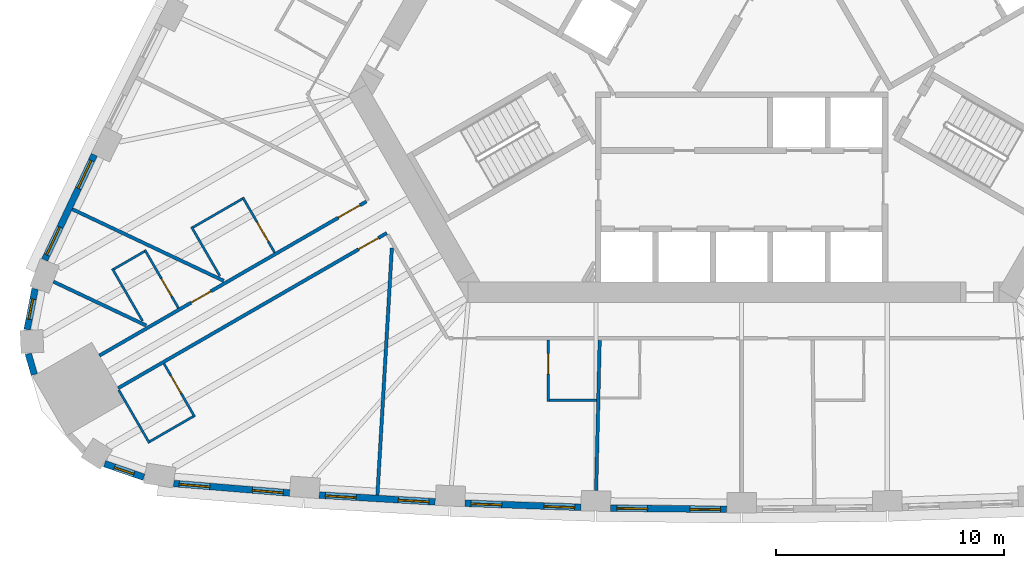
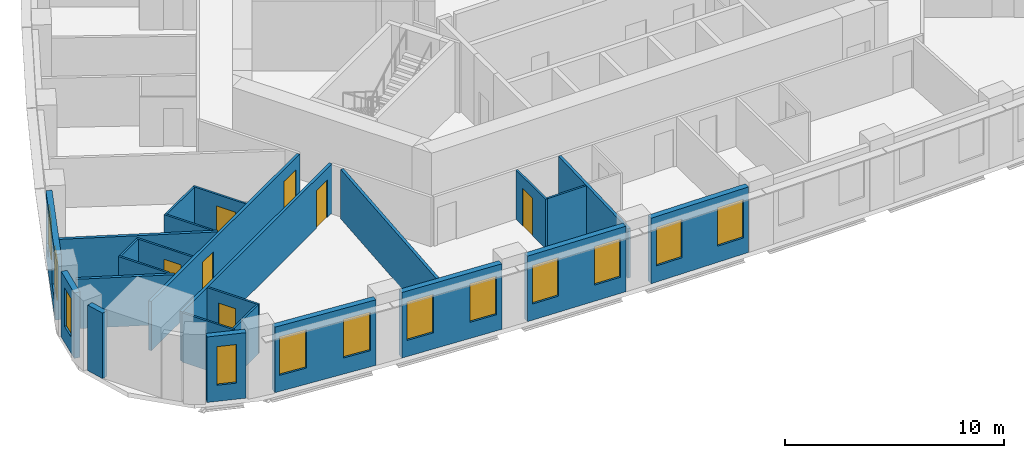
# One storey, part 3 of 12: 25 walls, 12 windows, 7 doors, 19 openings.
"""IFC4 building model written with IfcOpenShell, lengths in metres."""

from ifc_helpers import new_model, si_unit, direction, frame, frame_2d, origin, place, context, subcontext, project, spatial, rectangle, extrude, material, layer, layer_set, type_object, element, fill, save


model = new_model("IFC4")

# Units and contexts
model_context = context("Model", 3, precision=1e-05, world=origin(), true_north=direction((0.0, 1.0)))
body_context = subcontext(model_context, "Body", "Model", "MODEL_VIEW")
ifc_project = project(units=[si_unit("LENGTHUNIT", "METRE"), si_unit("AREAUNIT", "SQUARE_METRE"), si_unit("VOLUMEUNIT", "CUBIC_METRE"), si_unit("PLANEANGLEUNIT", "RADIAN"), si_unit("MASSUNIT", "GRAM", prefix="KILO")], contexts=[model_context])

# Site, building, storey
site_placement = place(None, origin())
site = spatial("IfcSite", under=ifc_project, at=site_placement, CompositionType="ELEMENT")
building_placement = place(site_placement, origin())
building = spatial("IfcBuilding", under=site, at=building_placement, Name="Mestral Congress Tower", CompositionType="ELEMENT")
storey_placement = place(building_placement, frame((0.0, 0.0, 107.10009765625)))
storey = spatial("IfcBuildingStorey", under=building, at=storey_placement, Name="L25", CompositionType="ELEMENT", Elevation=107.10009765625)

# Wall, openings, windows
ifc_material_1 = material(Name="Precast concrete C40/50 with limestone facing", Category="masonry")
ifc_layer_1 = layer(ifc_material_1, 0.2900390625)
ifc_layer_set_1 = layer_set([ifc_layer_1], Name="Precast concrete C40/50 with limestone facing")
wall_type_1 = type_object("IfcWallType", Name="Facade stone wall 290", PredefinedType="SOLIDWALL", material=ifc_layer_set_1)
wall_1_placement = place(storey_placement, frame((-24.9462890625, -20.95361328125, 0.0), z_axis=(0.0, 0.0, 1.0), x_axis=(0.99665273362, -0.081751627308, 0.0)))
wall_1 = element("IfcWall", 1, at=wall_1_placement, inside=storey, type_object=wall_type_1, Name="Facade wall F0-00", PredefinedType="SOLIDWALL", context=body_context, shape_type="SweptSolid", body=[
    extrude(rectangle(XDim=5.106689453125, YDim=0.2900390625, at=frame_2d((2.55322265625, 0.0))), origin(), (0.0, 0.0, 1.0), 3.64990234375),
])
opening_1_placement = place(wall_1_placement, frame((0.240478515625, 0.0, 0.89990234375)))
opening_1 = element("IfcOpeningElement", 2, at=opening_1_placement, cuts=wall_1, Name="Opening W2", PredefinedType="OPENING", context=body_context, shape_type="SweptSolid", body=[
    extrude(rectangle(XDim=1.35009765625, YDim=2.14990234375, at=frame_2d((0.675048828125, 1.074951171875))), frame((0.0, 0.155029296875, 0.0), z_axis=(0.0, -1.0, 0.0), x_axis=(1.0, 0.0, 0.0)), (0.0, 0.0, 1.0), 0.31005859375),
])
opening_2_placement = place(wall_1_placement, frame((3.47119140625, 0.0, 0.89990234375)))
opening_2 = element("IfcOpeningElement", 3, at=opening_2_placement, cuts=wall_1, Name="Opening W2", PredefinedType="OPENING", context=body_context, shape_type="SweptSolid", body=[
    extrude(rectangle(XDim=1.35009765625, YDim=2.14990234375, at=frame_2d((0.675048828125, 1.074951171875))), frame((0.0, 0.155029296875, 0.0), z_axis=(0.0, -1.0, 0.0), x_axis=(1.0, 0.0, 0.0)), (0.0, 0.0, 1.0), 0.31005859375),
])
ifc_material_2 = material(Name="Clear low-emissivity double glazing", Category="glass")
window_type_1 = type_object("IfcWindowType", Name="Facade punched window 1350 x 2150 sill 900", PartitioningType="DOUBLE_PANEL_VERTICAL", PredefinedType="WINDOW", material=ifc_material_2)
window_1_placement = place(opening_1_placement, origin())
window_1 = element("IfcWindow", 4, at=window_1_placement, inside=storey, type_object=window_type_1, Name="Window F0-00a", OverallHeight=2.14990234375, OverallWidth=1.35009765625, PartitioningType="DOUBLE_PANEL_VERTICAL", PredefinedType="WINDOW", context=body_context, shape_type="SweptSolid", body=[
    extrude(rectangle(XDim=1.35009765625, YDim=2.14990234375, at=frame_2d((0.675048828125, 1.074951171875))), frame((0.0, 0.01513671875, 0.0), z_axis=(0.0, -1.0, 0.0), x_axis=(1.0, 0.0, 0.0)), (0.0, 0.0, 1.0), 0.06005859375),
])
fill(opening_1, window_1)
window_2_placement = place(opening_2_placement, origin())
window_2 = element("IfcWindow", 5, at=window_2_placement, inside=storey, type_object=window_type_1, Name="Window F0-00b", OverallHeight=2.14990234375, OverallWidth=1.35009765625, PartitioningType="DOUBLE_PANEL_VERTICAL", PredefinedType="WINDOW", context=body_context, shape_type="SweptSolid", body=[
    extrude(rectangle(XDim=1.35009765625, YDim=2.14990234375, at=frame_2d((0.675048828125, 1.074951171875))), frame((0.0, 0.01513671875, 0.0), z_axis=(0.0, -1.0, 0.0), x_axis=(1.0, 0.0, 0.0)), (0.0, 0.0, 1.0), 0.06005859375),
])
fill(opening_2, window_2)

wall_2_placement = place(storey_placement, frame((-18.553466796875, -21.462890625, 0.0), z_axis=(0.0, 0.0, 1.0), x_axis=(0.998290511436, -0.058447025388, 0.0)))
wall_2 = element("IfcWall", 6, at=wall_2_placement, inside=storey, type_object=wall_type_1, Name="Facade wall F0-01", PredefinedType="SOLIDWALL", context=body_context, shape_type="SweptSolid", body=[
    extrude(rectangle(XDim=5.100341796875, YDim=0.2900390625, at=frame_2d((2.55029296875, 0.0))), origin(), (0.0, 0.0, 1.0), 3.64990234375),
])
opening_3_placement = place(wall_2_placement, frame((0.272705078125, 0.0, 0.89990234375)))
opening_3 = element("IfcOpeningElement", 7, at=opening_3_placement, cuts=wall_2, Name="Opening W2", PredefinedType="OPENING", context=body_context, shape_type="SweptSolid", body=[
    extrude(rectangle(XDim=1.35009765625, YDim=2.14990234375, at=frame_2d((0.675048828125, 1.074951171875))), frame((0.0, 0.155029296875, 0.0), z_axis=(0.0, -1.0, 0.0), x_axis=(1.0, 0.0, 0.0)), (0.0, 0.0, 1.0), 0.31005859375),
])
opening_4_placement = place(wall_2_placement, frame((3.477783203125, 0.0, 0.89990234375)))
opening_4 = element("IfcOpeningElement", 8, at=opening_4_placement, cuts=wall_2, Name="Opening W2", PredefinedType="OPENING", context=body_context, shape_type="SweptSolid", body=[
    extrude(rectangle(XDim=1.35009765625, YDim=2.14990234375, at=frame_2d((0.675048828125, 1.074951171875))), frame((0.0, 0.155029296875, 0.0), z_axis=(0.0, -1.0, 0.0), x_axis=(1.0, 0.0, 0.0)), (0.0, 0.0, 1.0), 0.31005859375),
])
window_3_placement = place(opening_3_placement, origin())
window_3 = element("IfcWindow", 9, at=window_3_placement, inside=storey, type_object=window_type_1, Name="Window F0-01a", OverallHeight=2.14990234375, OverallWidth=1.35009765625, PartitioningType="DOUBLE_PANEL_VERTICAL", PredefinedType="WINDOW", context=body_context, shape_type="SweptSolid", body=[
    extrude(rectangle(XDim=1.35009765625, YDim=2.14990234375, at=frame_2d((0.675048828125, 1.074951171875))), frame((0.0, 0.01513671875, 0.0), z_axis=(0.0, -1.0, 0.0), x_axis=(1.0, 0.0, 0.0)), (0.0, 0.0, 1.0), 0.06005859375),
])
fill(opening_3, window_3)
window_4_placement = place(opening_4_placement, origin())
window_4 = element("IfcWindow", 10, at=window_4_placement, inside=storey, type_object=window_type_1, Name="Window F0-01b", OverallHeight=2.14990234375, OverallWidth=1.35009765625, PartitioningType="DOUBLE_PANEL_VERTICAL", PredefinedType="WINDOW", context=body_context, shape_type="SweptSolid", body=[
    extrude(rectangle(XDim=1.35009765625, YDim=2.14990234375, at=frame_2d((0.675048828125, 1.074951171875))), frame((0.0, 0.01513671875, 0.0), z_axis=(0.0, -1.0, 0.0), x_axis=(1.0, 0.0, 0.0)), (0.0, 0.0, 1.0), 0.06005859375),
])
fill(opening_4, window_4)

wall_3_placement = place(storey_placement, frame((-12.15673828125, -21.822021484375, 0.0), z_axis=(0.0, 0.0, 1.0), x_axis=(0.999385993957, -0.035037623812, 0.0)))
wall_3 = element("IfcWall", 11, at=wall_3_placement, inside=storey, type_object=wall_type_1, Name="Facade wall F0-02", PredefinedType="SOLIDWALL", context=body_context, shape_type="SweptSolid", body=[
    extrude(rectangle(XDim=5.1005859375, YDim=0.2900390625, at=frame_2d((2.55029296875, 0.0))), origin(), (0.0, 0.0, 1.0), 3.64990234375),
])
opening_5_placement = place(wall_3_placement, frame((0.272705078125, 0.0, 0.89990234375)))
opening_5 = element("IfcOpeningElement", 12, at=opening_5_placement, cuts=wall_3, Name="Opening W2", PredefinedType="OPENING", context=body_context, shape_type="SweptSolid", body=[
    extrude(rectangle(XDim=1.35009765625, YDim=2.14990234375, at=frame_2d((0.675048828125, 1.074951171875))), frame((0.0, 0.155029296875, 0.0), z_axis=(0.0, -1.0, 0.0), x_axis=(1.0, 0.0, 0.0)), (0.0, 0.0, 1.0), 0.31005859375),
])
opening_6_placement = place(wall_3_placement, frame((3.477783203125, 0.0, 0.89990234375)))
opening_6 = element("IfcOpeningElement", 13, at=opening_6_placement, cuts=wall_3, Name="Opening W2", PredefinedType="OPENING", context=body_context, shape_type="SweptSolid", body=[
    extrude(rectangle(XDim=1.35009765625, YDim=2.14990234375, at=frame_2d((0.675048828125, 1.074951171875))), frame((0.0, 0.155029296875, 0.0), z_axis=(0.0, -1.0, 0.0), x_axis=(1.0, 0.0, 0.0)), (0.0, 0.0, 1.0), 0.31005859375),
])
window_5_placement = place(opening_5_placement, origin())
window_5 = element("IfcWindow", 14, at=window_5_placement, inside=storey, type_object=window_type_1, Name="Window F0-02a", OverallHeight=2.14990234375, OverallWidth=1.35009765625, PartitioningType="DOUBLE_PANEL_VERTICAL", PredefinedType="WINDOW", context=body_context, shape_type="SweptSolid", body=[
    extrude(rectangle(XDim=1.35009765625, YDim=2.14990234375, at=frame_2d((0.675048828125, 1.074951171875))), frame((0.0, 0.01513671875, 0.0), z_axis=(0.0, -1.0, 0.0), x_axis=(1.0, 0.0, 0.0)), (0.0, 0.0, 1.0), 0.06005859375),
])
fill(opening_5, window_5)
window_6_placement = place(opening_6_placement, origin())
window_6 = element("IfcWindow", 15, at=window_6_placement, inside=storey, type_object=window_type_1, Name="Window F0-02b", OverallHeight=2.14990234375, OverallWidth=1.35009765625, PartitioningType="DOUBLE_PANEL_VERTICAL", PredefinedType="WINDOW", context=body_context, shape_type="SweptSolid", body=[
    extrude(rectangle(XDim=1.35009765625, YDim=2.14990234375, at=frame_2d((0.675048828125, 1.074951171875))), frame((0.0, 0.01513671875, 0.0), z_axis=(0.0, -1.0, 0.0), x_axis=(1.0, 0.0, 0.0)), (0.0, 0.0, 1.0), 0.06005859375),
])
fill(opening_6, window_6)

wall_4_placement = place(storey_placement, frame((-5.753173828125, -22.031494140625, 0.0), z_axis=(0.0, 0.0, 1.0), x_axis=(0.999931786565, -0.011679992145, 0.0)))
wall_4 = element("IfcWall", 16, at=wall_4_placement, inside=storey, type_object=wall_type_1, Name="Facade wall F0-03", PredefinedType="SOLIDWALL", context=body_context, shape_type="SweptSolid", body=[
    extrude(rectangle(XDim=5.10009765625, YDim=0.2900390625, at=frame_2d((2.550048828125, 0.0))), origin(), (0.0, 0.0, 1.0), 3.64990234375),
])
opening_7_placement = place(wall_4_placement, frame((0.2724609375, 0.0, 0.89990234375)))
opening_7 = element("IfcOpeningElement", 17, at=opening_7_placement, cuts=wall_4, Name="Opening W2", PredefinedType="OPENING", context=body_context, shape_type="SweptSolid", body=[
    extrude(rectangle(XDim=1.35009765625, YDim=2.14990234375, at=frame_2d((0.675048828125, 1.074951171875))), frame((0.0, 0.155029296875, 0.0), z_axis=(0.0, -1.0, 0.0), x_axis=(1.0, 0.0, 0.0)), (0.0, 0.0, 1.0), 0.31005859375),
])
opening_8_placement = place(wall_4_placement, frame((3.477783203125, 0.0, 0.89990234375)))
opening_8 = element("IfcOpeningElement", 18, at=opening_8_placement, cuts=wall_4, Name="Opening W2", PredefinedType="OPENING", context=body_context, shape_type="SweptSolid", body=[
    extrude(rectangle(XDim=1.35009765625, YDim=2.14990234375, at=frame_2d((0.675048828125, 1.074951171875))), frame((0.0, 0.155029296875, 0.0), z_axis=(0.0, -1.0, 0.0), x_axis=(1.0, 0.0, 0.0)), (0.0, 0.0, 1.0), 0.31005859375),
])
window_7_placement = place(opening_7_placement, origin())
window_7 = element("IfcWindow", 19, at=window_7_placement, inside=storey, type_object=window_type_1, Name="Window F0-03a", OverallHeight=2.14990234375, OverallWidth=1.35009765625, PartitioningType="DOUBLE_PANEL_VERTICAL", PredefinedType="WINDOW", context=body_context, shape_type="SweptSolid", body=[
    extrude(rectangle(XDim=1.35009765625, YDim=2.14990234375, at=frame_2d((0.675048828125, 1.074951171875))), frame((0.0, 0.01513671875, 0.0), z_axis=(0.0, -1.0, 0.0), x_axis=(1.0, 0.0, 0.0)), (0.0, 0.0, 1.0), 0.06005859375),
])
fill(opening_7, window_7)
window_8_placement = place(opening_8_placement, origin())
window_8 = element("IfcWindow", 20, at=window_8_placement, inside=storey, type_object=window_type_1, Name="Window F0-03b", OverallHeight=2.14990234375, OverallWidth=1.35009765625, PartitioningType="DOUBLE_PANEL_VERTICAL", PredefinedType="WINDOW", context=body_context, shape_type="SweptSolid", body=[
    extrude(rectangle(XDim=1.35009765625, YDim=2.14990234375, at=frame_2d((0.675048828125, 1.074951171875))), frame((0.0, 0.01513671875, 0.0), z_axis=(0.0, -1.0, 0.0), x_axis=(1.0, 0.0, 0.0)), (0.0, 0.0, 1.0), 0.06005859375),
])
fill(opening_8, window_8)

wall_5_placement = place(storey_placement, frame((-28.436279296875, -6.5107421875, 0.0), z_axis=(0.0, 0.0, 1.0), x_axis=(-0.427543726596, -0.903994669148, 0.0)))
wall_5 = element("IfcWall", 21, at=wall_5_placement, inside=storey, type_object=wall_type_1, Name="Facade wall F2-07", PredefinedType="SOLIDWALL", context=body_context, shape_type="SweptSolid", body=[
    extrude(rectangle(XDim=5.106689453125, YDim=0.2900390625, at=frame_2d((2.55322265625, 0.0))), origin(), (0.0, 0.0, 1.0), 3.64990234375),
])
opening_9_placement = place(wall_5_placement, frame((0.285400390625, 0.0, 0.89990234375)))
opening_9 = element("IfcOpeningElement", 22, at=opening_9_placement, cuts=wall_5, Name="Opening W2", PredefinedType="OPENING", context=body_context, shape_type="SweptSolid", body=[
    extrude(rectangle(XDim=1.35009765625, YDim=2.14990234375, at=frame_2d((0.675048828125, 1.074951171875))), frame((0.0, 0.155029296875, 0.0), z_axis=(0.0, -1.0, 0.0), x_axis=(1.0, 0.0, 0.0)), (0.0, 0.0, 1.0), 0.31005859375),
])
opening_10_placement = place(wall_5_placement, frame((3.516357421875, 0.0, 0.89990234375)))
opening_10 = element("IfcOpeningElement", 23, at=opening_10_placement, cuts=wall_5, Name="Opening W2", PredefinedType="OPENING", context=body_context, shape_type="SweptSolid", body=[
    extrude(rectangle(XDim=1.35009765625, YDim=2.14990234375, at=frame_2d((0.675048828125, 1.074951171875))), frame((0.0, 0.155029296875, 0.0), z_axis=(0.0, -1.0, 0.0), x_axis=(1.0, 0.0, 0.0)), (0.0, 0.0, 1.0), 0.31005859375),
])
window_9_placement = place(opening_9_placement, origin())
window_9 = element("IfcWindow", 24, at=window_9_placement, inside=storey, type_object=window_type_1, Name="Window F2-07a", OverallHeight=2.14990234375, OverallWidth=1.35009765625, PartitioningType="DOUBLE_PANEL_VERTICAL", PredefinedType="WINDOW", context=body_context, shape_type="SweptSolid", body=[
    extrude(rectangle(XDim=1.35009765625, YDim=2.14990234375, at=frame_2d((0.675048828125, 1.074951171875))), frame((0.0, 0.01513671875, 0.0), z_axis=(0.0, -1.0, 0.0), x_axis=(1.0, 0.0, 0.0)), (0.0, 0.0, 1.0), 0.06005859375),
])
fill(opening_9, window_9)
window_10_placement = place(opening_10_placement, origin())
window_10 = element("IfcWindow", 25, at=window_10_placement, inside=storey, type_object=window_type_1, Name="Window F2-07b", OverallHeight=2.14990234375, OverallWidth=1.35009765625, PartitioningType="DOUBLE_PANEL_VERTICAL", PredefinedType="WINDOW", context=body_context, shape_type="SweptSolid", body=[
    extrude(rectangle(XDim=1.35009765625, YDim=2.14990234375, at=frame_2d((0.675048828125, 1.074951171875))), frame((0.0, 0.01513671875, 0.0), z_axis=(0.0, -1.0, 0.0), x_axis=(1.0, 0.0, 0.0)), (0.0, 0.0, 1.0), 0.06005859375),
])
fill(opening_10, window_10)

# Wall, opening, window
wall_6_placement = place(storey_placement, frame((-31.0390625, -12.403076171875, 0.0), z_axis=(0.0, 0.0, 1.0), x_axis=(-0.190409913989, -0.981704672829, 0.0)))
wall_6 = element("IfcWall", 26, at=wall_6_placement, inside=storey, type_object=wall_type_1, Name="Facade wall K2-0", PredefinedType="SOLIDWALL", context=body_context, shape_type="SweptSolid", body=[
    extrude(rectangle(XDim=1.8193359375, YDim=0.2900390625, at=frame_2d((0.90966796875, 0.0))), origin(), (0.0, 0.0, 1.0), 3.64990234375),
])
opening_11_placement = place(wall_6_placement, frame((0.459716796875, 0.0, 0.89990234375)))
opening_11 = element("IfcOpeningElement", 27, at=opening_11_placement, cuts=wall_6, Name="Opening W3", PredefinedType="OPENING", context=body_context, shape_type="SweptSolid", body=[
    extrude(rectangle(XDim=0.89990234375, YDim=2.14990234375, at=frame_2d((0.449951171875, 1.074951171875))), frame((0.0, 0.155029296875, 0.0), z_axis=(0.0, -1.0, 0.0), x_axis=(1.0, 0.0, 0.0)), (0.0, 0.0, 1.0), 0.31005859375),
])
window_type_2 = type_object("IfcWindowType", Name="Facade punched window 900 x 2150 sill 900", PartitioningType="SINGLE_PANEL", PredefinedType="WINDOW", material=ifc_material_2)
window_11_placement = place(opening_11_placement, origin())
window_11 = element("IfcWindow", 28, at=window_11_placement, inside=storey, type_object=window_type_2, Name="Window K2-0", OverallHeight=2.14990234375, OverallWidth=0.89990234375, PartitioningType="SINGLE_PANEL", PredefinedType="WINDOW", context=body_context, shape_type="SweptSolid", body=[
    extrude(rectangle(XDim=0.89990234375, YDim=2.14990234375, at=frame_2d((0.449951171875, 1.074951171875))), frame((0.0, 0.01513671875, 0.0), z_axis=(0.0, -1.0, 0.0), x_axis=(1.0, 0.0, 0.0)), (0.0, 0.0, 1.0), 0.06005859375),
])
fill(opening_11, window_11)

# Wall
wall_7_placement = place(storey_placement, frame((-31.335693359375, -15.25634765625, 0.0), z_axis=(0.0, 0.0, 1.0), x_axis=(0.281454582132, -0.95957455062, 0.0)))
element("IfcWall", 29, at=wall_7_placement, inside=storey, type_object=wall_type_1, Name="Facade wall K2-1", PredefinedType="SOLIDWALL", context=body_context, shape_type="SweptSolid", body=[
    extrude(rectangle(XDim=0.947265625, YDim=0.2900390625, at=frame_2d((0.4736328125, 0.0))), origin(), (0.0, 0.0, 1.0), 3.64990234375),
])

# Wall, opening, window
wall_8_placement = place(storey_placement, frame((-27.98095703125, -20.086181640625, 0.0), z_axis=(0.0, 0.0, 1.0), x_axis=(0.945385815453, -0.325953462844, 0.0)))
wall_8 = element("IfcWall", 30, at=wall_8_placement, inside=storey, type_object=wall_type_1, Name="Facade wall K2-3", PredefinedType="SOLIDWALL", context=body_context, shape_type="SweptSolid", body=[
    extrude(rectangle(XDim=1.8193359375, YDim=0.2900390625, at=frame_2d((0.90966796875, 0.0))), origin(), (0.0, 0.0, 1.0), 3.64990234375),
])
opening_12_placement = place(wall_8_placement, frame((0.459716796875, 0.0, 0.89990234375)))
opening_12 = element("IfcOpeningElement", 31, at=opening_12_placement, cuts=wall_8, Name="Opening W3", PredefinedType="OPENING", context=body_context, shape_type="SweptSolid", body=[
    extrude(rectangle(XDim=0.89990234375, YDim=2.14990234375, at=frame_2d((0.449951171875, 1.074951171875))), frame((0.0, 0.155029296875, 0.0), z_axis=(0.0, -1.0, 0.0), x_axis=(1.0, 0.0, 0.0)), (0.0, 0.0, 1.0), 0.31005859375),
])
window_12_placement = place(opening_12_placement, origin())
window_12 = element("IfcWindow", 32, at=window_12_placement, inside=storey, type_object=window_type_2, Name="Window K2-3", OverallHeight=2.14990234375, OverallWidth=0.89990234375, PartitioningType="SINGLE_PANEL", PredefinedType="WINDOW", context=body_context, shape_type="SweptSolid", body=[
    extrude(rectangle(XDim=0.89990234375, YDim=2.14990234375, at=frame_2d((0.449951171875, 1.074951171875))), frame((0.0, 0.01513671875, 0.0), z_axis=(0.0, -1.0, 0.0), x_axis=(1.0, 0.0, 0.0)), (0.0, 0.0, 1.0), 0.06005859375),
])
fill(opening_12, window_12)

# Wall, opening, door
ifc_material_3 = material(Name="Gypsum board partition on metal studs with mineral wool", Category="composite")
ifc_layer_2 = layer(ifc_material_3, 0.10009765625)
ifc_layer_set_2 = layer_set([ifc_layer_2], Name="Gypsum board partition on metal studs with mineral wool")
wall_type_2 = type_object("IfcWallType", Name="Hotel partition wall 100", PredefinedType="PARTITIONING", material=ifc_layer_set_2)
wall_9_placement = place(storey_placement, frame((-24.023681640625, -18.027099609375, 0.0), z_axis=(0.0, 0.0, 1.0), x_axis=(-0.4999416173, 0.866059108428, 0.0)))
wall_9 = element("IfcWall", 33, at=wall_9_placement, inside=storey, type_object=wall_type_2, Name="L25-h-pod01a", PredefinedType="PARTITIONING", context=body_context, shape_type="SweptSolid", body=[
    extrude(rectangle(XDim=2.699951171875, YDim=0.10009765625, at=frame_2d((1.35009765625, 0.0))), origin(), (0.0, 0.0, 1.0), 2.75),
])
opening_13_placement = place(wall_9_placement, frame((1.199951171875, 0.0, 0.0)))
opening_13 = element("IfcOpeningElement", 34, at=opening_13_placement, cuts=wall_9, Name="Opening H08-002", PredefinedType="OPENING", context=body_context, shape_type="SweptSolid", body=[
    extrude(rectangle(XDim=0.89990234375, YDim=2.10009765625, at=frame_2d((0.449951171875, 1.050048828125))), frame((0.0, 0.06005859375, 0.0), z_axis=(0.0, -1.0, 0.0), x_axis=(1.0, 0.0, 0.0)), (0.0, 0.0, 1.0), 0.1201171875),
])
ifc_material_4 = material(Name="Timber veneer door leaf in timber frame", Category="wood")
door_type_1 = type_object("IfcDoorType", Name="Bathroom door 900", OperationType="SINGLE_SWING_LEFT", PredefinedType="DOOR", material=ifc_material_4)
door_1_placement = place(opening_13_placement, origin())
door_1 = element("IfcDoor", 35, at=door_1_placement, inside=storey, type_object=door_type_1, Name="L25-h-d002", OperationType="SINGLE_SWING_LEFT", OverallHeight=2.10009765625, OverallWidth=0.89990234375, PredefinedType="DOOR", context=body_context, shape_type="SweptSolid", body=[
    extrude(rectangle(XDim=0.89990234375, YDim=2.10009765625, at=frame_2d((0.449951171875, 1.050048828125))), frame((0.0, 0.02490234375, 0.0), z_axis=(0.0, -1.0, 0.0), x_axis=(1.0, 0.0, 0.0)), (0.0, 0.0, 1.0), 0.050048828125),
])
fill(opening_13, door_1)

# Walls
wall_10_placement = place(storey_placement, frame((-24.091796875, -18.0087890625, 0.0), z_axis=(0.0, 0.0, 1.0), x_axis=(-0.866083962871, -0.499898558967, 0.0)))
element("IfcWall", 36, at=wall_10_placement, inside=storey, type_object=wall_type_2, Name="L25-h-pod01b", PredefinedType="PARTITIONING", context=body_context, shape_type="SweptSolid", body=[
    extrude(rectangle(XDim=2.2001953125, YDim=0.10009765625, at=frame_2d((1.10009765625, 0.0))), origin(), (0.0, 0.0, 1.0), 2.75),
])
wall_11_placement = place(storey_placement, frame((-27.365478515625, -16.838623046875, 0.0), z_axis=(0.0, 0.0, 1.0), x_axis=(0.50000943426, -0.866019956843, 0.0)))
element("IfcWall", 37, at=wall_11_placement, inside=storey, type_object=wall_type_2, Name="L25-h-pod01c", PredefinedType="PARTITIONING", context=body_context, shape_type="SweptSolid", body=[
    extrude(rectangle(XDim=2.7001953125, YDim=0.10009765625, at=frame_2d((1.35009765625, 0.0))), origin(), (0.0, 0.0, 1.0), 2.75),
])

# Wall, opening, door
wall_12_placement = place(storey_placement, frame((-8.48779296875, -14.64990234375, 0.0), z_axis=(0.0, 0.0, 1.0), x_axis=(0.0, -1.0, 0.0)))
wall_12 = element("IfcWall", 38, at=wall_12_placement, inside=storey, type_object=wall_type_2, Name="L25-h-pod02a", PredefinedType="PARTITIONING", context=body_context, shape_type="SweptSolid", body=[
    extrude(rectangle(XDim=2.7001953125, YDim=0.10009765625, at=frame_2d((1.35009765625, 0.0))), origin(), (0.0, 0.0, 1.0), 2.75),
])
opening_14_placement = place(wall_12_placement, frame((0.60009765625, 0.0, 0.0)))
opening_14 = element("IfcOpeningElement", 39, at=opening_14_placement, cuts=wall_12, Name="Opening H08-004", PredefinedType="OPENING", context=body_context, shape_type="SweptSolid", body=[
    extrude(rectangle(XDim=0.89990234375, YDim=2.10009765625, at=frame_2d((0.449951171875, 1.050048828125))), frame((0.0, 0.06005859375, 0.0), z_axis=(0.0, -1.0, 0.0), x_axis=(1.0, 0.0, 0.0)), (0.0, 0.0, 1.0), 0.1201171875),
])
door_2_placement = place(opening_14_placement, origin())
door_2 = element("IfcDoor", 40, at=door_2_placement, inside=storey, type_object=door_type_1, Name="L25-h-d004", OperationType="SINGLE_SWING_LEFT", OverallHeight=2.10009765625, OverallWidth=0.89990234375, PredefinedType="DOOR", context=body_context, shape_type="SweptSolid", body=[
    extrude(rectangle(XDim=0.89990234375, YDim=2.10009765625, at=frame_2d((0.449951171875, 1.050048828125))), frame((0.0, 0.02490234375, 0.0), z_axis=(0.0, -1.0, 0.0), x_axis=(1.0, 0.0, 0.0)), (0.0, 0.0, 1.0), 0.050048828125),
])
fill(opening_14, door_2)

# Wall
wall_13_placement = place(storey_placement, frame((-8.437744140625, -17.300048828125, 0.0), z_axis=(0.0, 0.0, 1.0), x_axis=(1.0, 0.0, 0.0)))
element("IfcWall", 41, at=wall_13_placement, inside=storey, type_object=wall_type_2, Name="L25-h-pod02b", PredefinedType="PARTITIONING", context=body_context, shape_type="SweptSolid", body=[
    extrude(rectangle(XDim=2.06005859375, YDim=0.10009765625, at=frame_2d((1.030029296875, 0.0))), origin(), (0.0, 0.0, 1.0), 2.75),
])

# Wall, opening, door
wall_14_placement = place(storey_placement, frame((-20.5146484375, -10.804931640625, 0.0), z_axis=(0.0, 0.0, 1.0), x_axis=(-0.49994636267, 0.866056369097, 0.0)))
wall_14 = element("IfcWall", 42, at=wall_14_placement, inside=storey, type_object=wall_type_2, Name="L25-h-pod24a", PredefinedType="PARTITIONING", context=body_context, shape_type="SweptSolid", body=[
    extrude(rectangle(XDim=2.800048828125, YDim=0.10009765625, at=frame_2d((1.39990234375, 0.0))), origin(), (0.0, 0.0, 1.0), 2.75),
])
opening_15_placement = place(wall_14_placement, frame((0.550048828125, 0.0, 0.0)))
opening_15 = element("IfcOpeningElement", 43, at=opening_15_placement, cuts=wall_14, Name="Opening H08-043", PredefinedType="OPENING", context=body_context, shape_type="SweptSolid", body=[
    extrude(rectangle(XDim=1.0, YDim=2.10009765625, at=frame_2d((0.5, 1.050048828125))), frame((0.0, 0.06005859375, 0.0), z_axis=(0.0, -1.0, 0.0), x_axis=(1.0, 0.0, 0.0)), (0.0, 0.0, 1.0), 0.1201171875),
])
door_type_2 = type_object("IfcDoorType", Name="Accessible bathroom door 1000", OperationType="SINGLE_SWING_LEFT", PredefinedType="DOOR", material=ifc_material_4)
door_3_placement = place(opening_15_placement, origin())
door_3 = element("IfcDoor", 44, at=door_3_placement, inside=storey, type_object=door_type_2, Name="L25-h-d043", OperationType="SINGLE_SWING_RIGHT", OverallHeight=2.10009765625, OverallWidth=1.0, PredefinedType="DOOR", context=body_context, shape_type="SweptSolid", body=[
    extrude(rectangle(XDim=1.0, YDim=2.10009765625, at=frame_2d((0.5, 1.050048828125))), frame((0.0, 0.02490234375, 0.0), z_axis=(0.0, -1.0, 0.0), x_axis=(1.0, 0.0, 0.0)), (0.0, 0.0, 1.0), 0.050048828125),
])
fill(opening_15, door_3)

# Walls
for number, where, z_axis, x_axis, name in (
    (45, (-21.932861328125, -8.4482421875, 0.0), (0.0, 0.0, 1.0), (-0.866022959057, -0.500004234368, 0.0), "L25-h-pod24b"),
    (46, (-22.916259765625, -11.844970703125, 0.0), (0.0, 0.0, 1.0), (-0.500004234368, 0.866022959057, 0.0), "L25-h-pod24c"),
):
    element("IfcWall", number, at=place(storey_placement, frame(where, z_axis=z_axis, x_axis=x_axis)), inside=storey, type_object=wall_type_2, Name=name, PredefinedType="PARTITIONING", context=body_context, shape_type="SweptSolid", body=[
        extrude(rectangle(XDim=2.5, YDim=0.10009765625, at=frame_2d((1.25, 0.0))), origin(), (0.0, 0.0, 1.0), 2.75),
    ])

# Wall, opening, door
wall_15_placement = place(storey_placement, frame((-24.739990234375, -13.244384765625, 0.0), z_axis=(0.0, 0.0, 1.0), x_axis=(-0.500037662692, 0.866003658127, 0.0)))
wall_15 = element("IfcWall", 47, at=wall_15_placement, inside=storey, type_object=wall_type_2, Name="L25-h-pod25a", PredefinedType="PARTITIONING", context=body_context, shape_type="SweptSolid", body=[
    extrude(rectangle(XDim=2.949951171875, YDim=0.10009765625, at=frame_2d((1.47509765625, 0.0))), origin(), (0.0, 0.0, 1.0), 2.75),
])
opening_16_placement = place(wall_15_placement, frame((0.60009765625, 0.0, 0.0)))
opening_16 = element("IfcOpeningElement", 48, at=opening_16_placement, cuts=wall_15, Name="Opening H08-045", PredefinedType="OPENING", context=body_context, shape_type="SweptSolid", body=[
    extrude(rectangle(XDim=0.89990234375, YDim=2.10009765625, at=frame_2d((0.449951171875, 1.050048828125))), frame((0.0, 0.06005859375, 0.0), z_axis=(0.0, -1.0, 0.0), x_axis=(1.0, 0.0, 0.0)), (0.0, 0.0, 1.0), 0.1201171875),
])
door_4_placement = place(opening_16_placement, origin())
door_4 = element("IfcDoor", 49, at=door_4_placement, inside=storey, type_object=door_type_1, Name="L25-h-d045", OperationType="SINGLE_SWING_LEFT", OverallHeight=2.10009765625, OverallWidth=0.89990234375, PredefinedType="DOOR", context=body_context, shape_type="SweptSolid", body=[
    extrude(rectangle(XDim=0.89990234375, YDim=2.10009765625, at=frame_2d((0.449951171875, 1.050048828125))), frame((0.0, 0.02490234375, 0.0), z_axis=(0.0, -1.0, 0.0), x_axis=(1.0, 0.0, 0.0)), (0.0, 0.0, 1.0), 0.050048828125),
])
fill(opening_16, door_4)

# Walls
wall_16_placement = place(storey_placement, frame((-26.2333984375, -10.758056640625, 0.0), z_axis=(0.0, 0.0, 1.0), x_axis=(-0.866043940782, -0.499967891604, 0.0)))
element("IfcWall", 50, at=wall_16_placement, inside=storey, type_object=wall_type_2, Name="L25-h-pod25b", PredefinedType="PARTITIONING", context=body_context, shape_type="SweptSolid", body=[
    extrude(rectangle(XDim=1.5498046875, YDim=0.10009765625, at=frame_2d((0.77490234375, 0.0))), origin(), (0.0, 0.0, 1.0), 2.75),
])
wall_17_placement = place(storey_placement, frame((-26.319091796875, -13.809814453125, 0.0), z_axis=(0.0, 0.0, 1.0), x_axis=(-0.499953715521, 0.866052124492, 0.0)))
element("IfcWall", 51, at=wall_17_placement, inside=storey, type_object=wall_type_2, Name="L25-h-pod25c", PredefinedType="PARTITIONING", context=body_context, shape_type="SweptSolid", body=[
    extrude(rectangle(XDim=2.650146484375, YDim=0.10009765625, at=frame_2d((1.3251953125, 0.0))), origin(), (0.0, 0.0, 1.0), 2.75),
])

# Wall, openings, doors
ifc_layer_3 = layer(ifc_material_3, 0.14990234375)
ifc_layer_set_3 = layer_set([ifc_layer_3], Name="Gypsum board partition on metal studs with mineral wool")
wall_type_3 = type_object("IfcWallType", Name="Hotel partition wall 150", PredefinedType="PARTITIONING", material=ifc_layer_set_3)
wall_18_placement = place(storey_placement, frame((-28.210693359375, -15.334716796875, 0.0), z_axis=(0.0, 0.0, 1.0), x_axis=(0.866025884867, 0.49999916674, 0.0)))
wall_18 = element("IfcWall", 52, at=wall_18_placement, inside=storey, type_object=wall_type_3, Name="L25-h-cw10", PredefinedType="PARTITIONING", context=body_context, shape_type="SweptSolid", body=[
    extrude(rectangle(XDim=13.54345703125, YDim=0.14990234375, at=frame_2d((6.771728515625, 0.0))), origin(), (0.0, 0.0, 1.0), 2.75),
])
opening_17_placement = place(wall_18_placement, frame((12.113525390625, 0.0, 0.0)))
opening_17 = element("IfcOpeningElement", 53, at=opening_17_placement, cuts=wall_18, Name="Opening H08-042", PredefinedType="OPENING", context=body_context, shape_type="SweptSolid", body=[
    extrude(rectangle(XDim=1.10009765625, YDim=2.10009765625, at=frame_2d((0.550048828125, 1.050048828125))), frame((0.0, 0.0849609375, 0.0), z_axis=(0.0, -1.0, 0.0), x_axis=(1.0, 0.0, 0.0)), (0.0, 0.0, 1.0), 0.169921875),
])
opening_18_placement = place(wall_18_placement, frame((4.650146484375, 0.0, 0.0)))
opening_18 = element("IfcOpeningElement", 54, at=opening_18_placement, cuts=wall_18, Name="Opening H08-044", PredefinedType="OPENING", context=body_context, shape_type="SweptSolid", body=[
    extrude(rectangle(XDim=1.0, YDim=2.10009765625, at=frame_2d((0.5, 1.050048828125))), frame((0.0, 0.0849609375, 0.0), z_axis=(0.0, -1.0, 0.0), x_axis=(1.0, 0.0, 0.0)), (0.0, 0.0, 1.0), 0.169921875),
])
ifc_material_5 = material(Name="Timber veneer door leaf in metal frame", Category="wood")
door_type_3 = type_object("IfcDoorType", Name="Accessible room entrance door 1100", OperationType="SINGLE_SWING_LEFT", PredefinedType="DOOR", material=ifc_material_5)
door_5_placement = place(opening_17_placement, origin())
door_5 = element("IfcDoor", 55, at=door_5_placement, inside=storey, type_object=door_type_3, Name="L25-h-d042", OperationType="SINGLE_SWING_RIGHT", OverallHeight=2.10009765625, OverallWidth=1.10009765625, PredefinedType="DOOR", context=body_context, shape_type="SweptSolid", body=[
    extrude(rectangle(XDim=1.10009765625, YDim=2.10009765625, at=frame_2d((0.550048828125, 1.050048828125))), frame((0.0, 0.02490234375, 0.0), z_axis=(0.0, -1.0, 0.0), x_axis=(1.0, 0.0, 0.0)), (0.0, 0.0, 1.0), 0.050048828125),
])
fill(opening_17, door_5)
door_type_4 = type_object("IfcDoorType", Name="Guest room entrance door 1000", OperationType="SINGLE_SWING_LEFT", PredefinedType="DOOR", material=ifc_material_5)
door_6_placement = place(opening_18_placement, origin())
door_6 = element("IfcDoor", 56, at=door_6_placement, inside=storey, type_object=door_type_4, Name="L25-h-d044", OperationType="SINGLE_SWING_RIGHT", OverallHeight=2.10009765625, OverallWidth=1.0, PredefinedType="DOOR", context=body_context, shape_type="SweptSolid", body=[
    extrude(rectangle(XDim=1.0, YDim=2.10009765625, at=frame_2d((0.5, 1.050048828125))), frame((0.0, 0.02490234375, 0.0), z_axis=(0.0, -1.0, 0.0), x_axis=(1.0, 0.0, 0.0)), (0.0, 0.0, 1.0), 0.050048828125),
])
fill(opening_18, door_6)

# Wall, opening, door
wall_19_placement = place(storey_placement, frame((-15.58740234375, -9.951904296875, 0.0), z_axis=(0.0, 0.0, 1.0), x_axis=(-0.866017869832, -0.500013048961, 0.0)))
wall_19 = element("IfcWall", 57, at=wall_19_placement, inside=storey, type_object=wall_type_3, Name="L25-h-cw11", PredefinedType="PARTITIONING", context=body_context, shape_type="SweptSolid", body=[
    extrude(rectangle(XDim=13.623779296875, YDim=0.14990234375, at=frame_2d((6.81201171875, 0.0))), origin(), (0.0, 0.0, 1.0), 2.75),
])
opening_19_placement = place(wall_19_placement, frame((0.427001953125, 0.0, 0.0)))
opening_19 = element("IfcOpeningElement", 58, at=opening_19_placement, cuts=wall_19, Name="Opening H08-001", PredefinedType="OPENING", context=body_context, shape_type="SweptSolid", body=[
    extrude(rectangle(XDim=1.0, YDim=2.10009765625, at=frame_2d((0.5, 1.050048828125))), frame((0.0, 0.0849609375, 0.0), z_axis=(0.0, -1.0, 0.0), x_axis=(1.0, 0.0, 0.0)), (0.0, 0.0, 1.0), 0.169921875),
])
door_7_placement = place(opening_19_placement, origin())
door_7 = element("IfcDoor", 59, at=door_7_placement, inside=storey, type_object=door_type_4, Name="L25-h-d001", OperationType="SINGLE_SWING_LEFT", OverallHeight=2.10009765625, OverallWidth=1.0, PredefinedType="DOOR", context=body_context, shape_type="SweptSolid", body=[
    extrude(rectangle(XDim=1.0, YDim=2.10009765625, at=frame_2d((0.5, 1.050048828125))), frame((0.0, 0.02490234375, 0.0), z_axis=(0.0, -1.0, 0.0), x_axis=(1.0, 0.0, 0.0)), (0.0, 0.0, 1.0), 0.050048828125),
])
fill(opening_19, door_7)

# Walls
wall_20_placement = place(storey_placement, frame((-30.23095703125, -12.08544921875, 0.0), z_axis=(0.0, 0.0, 1.0), x_axis=(0.904001132572, -0.427530060122, 0.0)))
element("IfcWall", 60, at=wall_20_placement, inside=storey, type_object=wall_type_3, Name="L25-h-pw01", PredefinedType="PARTITIONING", context=body_context, shape_type="SweptSolid", body=[
    extrude(rectangle(XDim=4.509521484375, YDim=0.14990234375, at=frame_2d((2.2548828125, 0.0))), origin(), (0.0, 0.0, 1.0), 2.75),
])
wall_21_placement = place(storey_placement, frame((-29.406494140625, -8.9013671875, 0.0), z_axis=(0.0, 0.0, 1.0), x_axis=(0.904002363742, -0.427527456836, 0.0)))
element("IfcWall", 61, at=wall_21_placement, inside=storey, type_object=wall_type_3, Name="L25-h-pw02", PredefinedType="PARTITIONING", context=body_context, shape_type="SweptSolid", body=[
    extrude(rectangle(XDim=7.362060546875, YDim=0.14990234375, at=frame_2d((3.68115234375, 0.0))), origin(), (0.0, 0.0, 1.0), 2.75),
])
wall_22_placement = place(storey_placement, frame((-15.9990234375, -21.467041015625, 0.0), z_axis=(0.0, 0.0, 1.0), x_axis=(0.058411453297, 0.998292593443, 0.0)))
element("IfcWall", 62, at=wall_22_placement, inside=storey, type_object=wall_type_3, Name="L25-h-pw06", PredefinedType="PARTITIONING", context=body_context, shape_type="SweptSolid", body=[
    extrude(rectangle(XDim=10.87548828125, YDim=0.14990234375, at=frame_2d((5.437744140625, 0.0))), origin(), (0.0, 0.0, 1.0), 2.75),
])
wall_23_placement = place(storey_placement, frame((-6.388916015625, -21.268798828125, 0.0), z_axis=(0.0, 0.0, 1.0), x_axis=(0.023377429176, 0.999726710559, 0.0)))
element("IfcWall", 63, at=wall_23_placement, inside=storey, type_object=wall_type_3, Name="L25-h-pw10", PredefinedType="PARTITIONING", context=body_context, shape_type="SweptSolid", body=[
    extrude(rectangle(XDim=6.610595703125, YDim=0.14990234375, at=frame_2d((3.30517578125, 0.0))), origin(), (0.0, 0.0, 1.0), 2.75),
])

save(model, "model.ifc")
